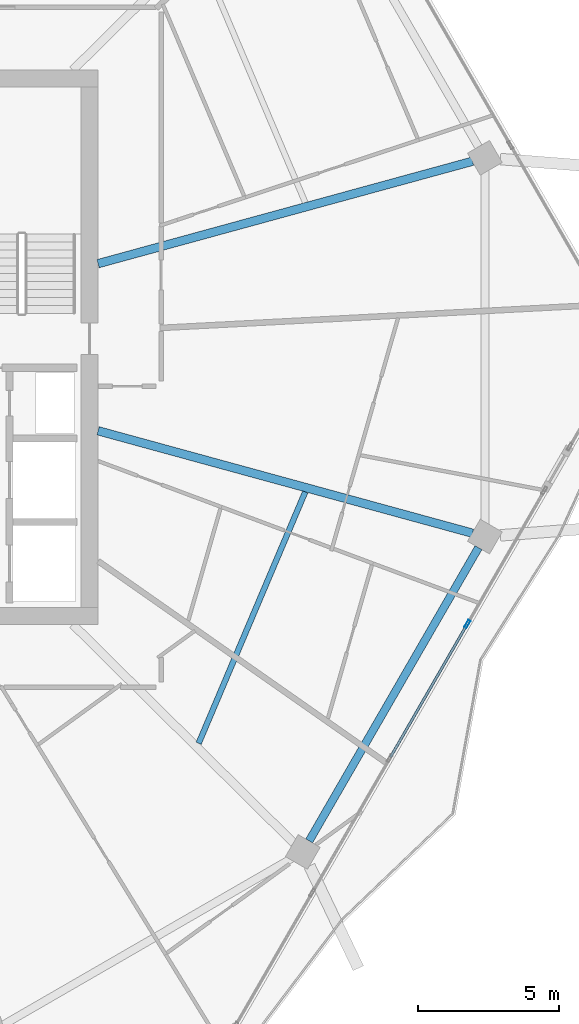
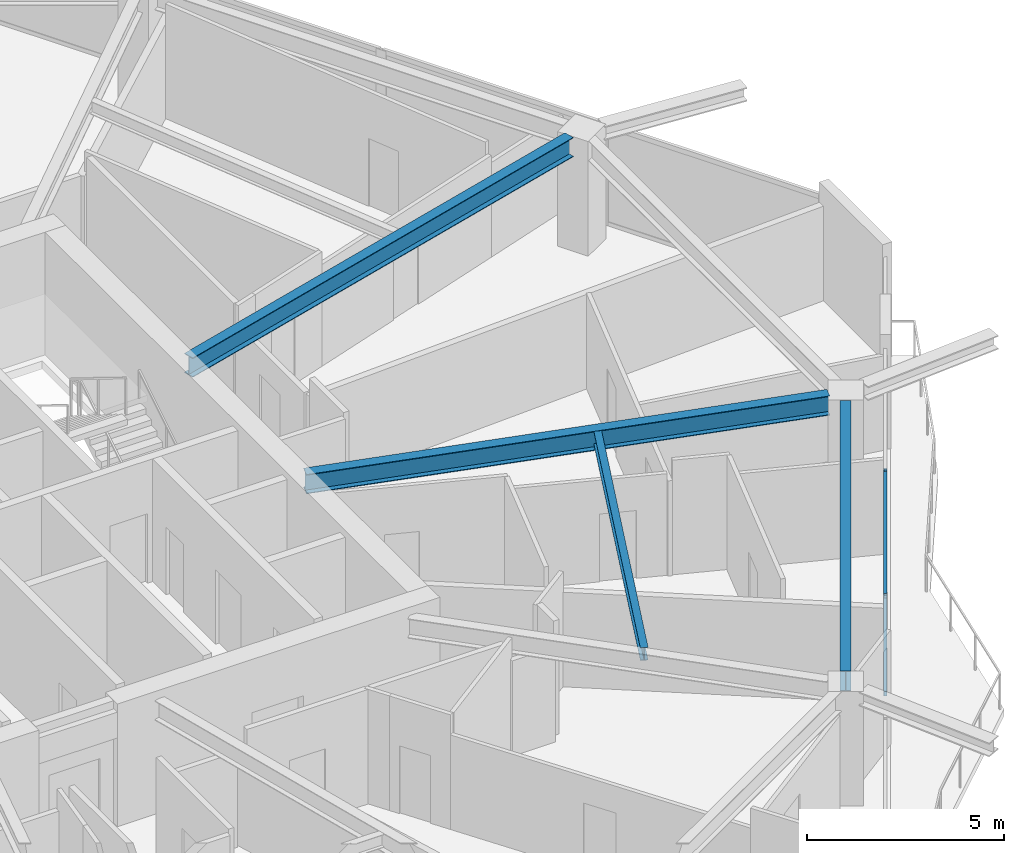
# One storey, part 9 of 25: 4 beams, 3 members, 1 element without a shape of its own.
"""IFC4 building model written with IfcOpenShell, lengths in metres."""

from ifc_helpers import new_model, si_unit, direction, frame, origin, origin_2d, place, context, subcontext, project, spatial, hollow_rectangle, i_section, extrude, material, material_profile, profile_set, type_object, element, aggregate, save


model = new_model("IFC4")

# Units and contexts
model_context = context("Model", 3, precision=1e-05, world=origin(), true_north=direction((0.0, 1.0)))
body_context = subcontext(model_context, "Body", "Model", "MODEL_VIEW")
ifc_project = project(units=[si_unit("LENGTHUNIT", "METRE"), si_unit("AREAUNIT", "SQUARE_METRE"), si_unit("VOLUMEUNIT", "CUBIC_METRE"), si_unit("PLANEANGLEUNIT", "RADIAN"), si_unit("MASSUNIT", "GRAM", prefix="KILO")], contexts=[model_context])

# Site, building, storey
site_placement = place(None, origin())
site = spatial("IfcSite", under=ifc_project, at=site_placement, CompositionType="ELEMENT")
building_placement = place(site_placement, origin())
building = spatial("IfcBuilding", under=site, at=building_placement, Name="Zuhravey Tower", CompositionType="ELEMENT")
storey_placement = place(building_placement, frame((0.0, 0.0, 257.800048828125)))
storey = spatial("IfcBuildingStorey", under=building, at=storey_placement, Name="L65", CompositionType="ELEMENT", Elevation=257.800048828125)

# Curtain wall, members
ifc_material_1 = material(Name="Thermally broken anodised aluminium", Category="aluminium")
curtain_wall_type = type_object("IfcCurtainWallType", Name="Zone 3-4 High-Rise Curtain Wall CW4", PredefinedType="NOTDEFINED", material=ifc_material_1)
curtain_wall_placement = place(storey_placement, origin())
curtain_wall = element("IfcCurtainWall", 1, at=curtain_wall_placement, inside=storey, type_object=curtain_wall_type, Name="L65 CW4 CW-L65-F6-2", PredefinedType="NOTDEFINED")
ifc_material_2 = material(Name="Anodised aluminium", Category="aluminium")
ifc_material_profile_1 = material_profile(ifc_material_2, hollow_rectangle(XDim=0.090087890625, YDim=0.284912109375, WallThickness=0.0048828125, at=origin_2d()), Name="ALU-RHS-90x285x5")
ifc_profile_set_1 = profile_set([ifc_material_profile_1], Name="Anodised aluminium")
member_type_1 = type_object("IfcMemberType", Name="Curtain-Wall Mullion 90x180", PredefinedType="MULLION", material=ifc_profile_set_1)
member_1_placement = place(storey_placement, frame((59.86669921875, 22.211181640625, 0.0), z_axis=(0.0, 0.0, 1.0), x_axis=(0.866025036881, -0.500000635495, 0.0)))
member_1 = element("IfcMember", 2, at=member_1_placement, type_object=member_type_1, Name="CW4 mullion 2", PredefinedType="MULLION", context=body_context, shape_type="SweptSolid", body=[
    extrude(hollow_rectangle(XDim=0.090087890625, YDim=0.284912109375, WallThickness=0.0048828125, at=origin_2d()), origin(), (0.0, 0.0, 1.0), 3.1220703125),
])
ifc_material_profile_2 = material_profile(ifc_material_2, hollow_rectangle(XDim=0.090087890625, YDim=0.14990234375, WallThickness=0.0048828125, at=origin_2d()), Name="ALU-RHS-90x150x5")
ifc_profile_set_2 = profile_set([ifc_material_profile_2], Name="Anodised aluminium")
member_type_2 = type_object("IfcMemberType", Name="Curtain-Wall Transom 90x150", PredefinedType="USERDEFINED", material=ifc_profile_set_2)
member_2_placement = place(storey_placement, frame((59.84423828125, 22.17236328125, 0.044921875), z_axis=(-0.499980770555, -0.866036505625, 0.0), x_axis=(0.866036505625, -0.499980770555, 0.0)))
member_2 = element("IfcMember", 3, at=member_2_placement, type_object=member_type_2, Name="CW4 transom 2.1", ObjectType="TRANSOM", PredefinedType="USERDEFINED", context=body_context, shape_type="SweptSolid", body=[
    extrude(hollow_rectangle(XDim=0.090087890625, YDim=0.14990234375, WallThickness=0.0048828125, at=origin_2d()), origin(), (0.0, 0.0, 1.0), 5.399658203125),
])
member_3_placement = place(storey_placement, frame((59.84423828125, 22.17236328125, 3.076904296875), z_axis=(-0.499980770555, -0.866036505625, 0.0), x_axis=(0.866036505625, -0.499980770555, 0.0)))
member_3 = element("IfcMember", 4, at=member_3_placement, type_object=member_type_2, Name="CW4 transom 2.2", ObjectType="TRANSOM", PredefinedType="USERDEFINED", context=body_context, shape_type="SweptSolid", body=[
    extrude(hollow_rectangle(XDim=0.090087890625, YDim=0.14990234375, WallThickness=0.0048828125, at=origin_2d()), origin(), (0.0, 0.0, 1.0), 5.399658203125),
])
aggregate(curtain_wall, [member_1, member_2, member_3])

# Beams
ifc_material_3 = material(Name="Steel SM355", Category="steel")
ifc_material_profile_3 = material_profile(ifc_material_3, i_section(OverallWidth=0.280029296875, OverallDepth=0.6201171875, WebThickness=0.011962890625, FlangeThickness=0.02001953125, at=origin_2d()), Name="H-620x280x12x20")
ifc_profile_set_3 = profile_set([ifc_material_profile_3], Name="Steel SM355")
beam_type_1 = type_object("IfcBeamType", Name="Perimeter Ring Beam H620x280", PredefinedType="BEAM", material=ifc_profile_set_3)
beam_1_placement = place(storey_placement, frame((54.27001953125, 14.53759765625, 3.239990234375), z_axis=(0.500017744717, 0.866015158625, 0.0), x_axis=(-0.866015158625, 0.500017744717, 0.0)))
element("IfcBeam", 5, at=beam_1_placement, inside=storey, type_object=beam_type_1, Name="L65 PB3 BM-L65-PB-11", PredefinedType="BEAM", context=body_context, shape_type="SweptSolid", body=[
    extrude(i_section(OverallWidth=0.280029296875, OverallDepth=0.6201171875, WebThickness=0.011962890625, FlangeThickness=0.02001953125, at=origin_2d()), origin(), (0.0, 0.0, 1.0), 11.9755859375),
])
ifc_material_profile_4 = material_profile(ifc_material_3, i_section(OverallWidth=0.300048828125, OverallDepth=0.60009765625, WebThickness=0.011962890625, FlangeThickness=0.02001953125, at=origin_2d()), Name="H-600x300x12x20")
ifc_profile_set_4 = profile_set([ifc_material_profile_4], Name="Steel SM355")
beam_type_2 = type_object("IfcBeamType", Name="Radial Primary Girder H600x300", PredefinedType="BEAM", material=ifc_profile_set_4)
for number, where, z_axis, x_axis, name in (
    (6, (46.802978515625, 34.95556640625, 3.25), (0.964548913045, 0.26390413855, 0.0), (-0.26390413855, 0.964548913045, 0.0), "L65 RG3 BM-L65-RAD-01"),
    (7, (46.802978515625, 29.04443359375, 3.25), (0.964548913045, -0.26390413855, 0.0), (0.26390413855, 0.964548913045, 0.0), "L65 RG3 BM-L65-RAD-12"),
):
    element("IfcBeam", number, at=place(storey_placement, frame(where, z_axis=z_axis, x_axis=x_axis)), inside=storey, type_object=beam_type_2, Name=name, PredefinedType="BEAM", context=body_context, shape_type="SweptSolid", body=[
        extrude(i_section(OverallWidth=0.300048828125, OverallDepth=0.60009765625, WebThickness=0.011962890625, FlangeThickness=0.02001953125, at=origin_2d()), origin(), (0.0, 0.0, 1.0), 13.7314453125),
    ])
ifc_material_profile_5 = material_profile(ifc_material_3, i_section(OverallWidth=0.199951171875, OverallDepth=0.39990234375, WebThickness=0.008056640625, FlangeThickness=0.012939453125, at=origin_2d()), Name="H-400x200x8x13")
ifc_profile_set_5 = profile_set([ifc_material_profile_5], Name="Steel SM355")
beam_type_3 = type_object("IfcBeamType", Name="Secondary Floor Joist H400x200", PredefinedType="JOIST", material=ifc_profile_set_5)
beam_2_placement = place(storey_placement, frame((50.36083984375, 17.990966796875, 3.349853515625), z_axis=(0.390413493754, 0.920639616731, 0.0), x_axis=(-0.920639616731, 0.390413493754, 0.0)))
element("IfcBeam", 8, at=beam_2_placement, inside=storey, type_object=beam_type_3, Name="L65 SJ2 BM-L65-SJ-11-1", PredefinedType="JOIST", context=body_context, shape_type="SweptSolid", body=[
    extrude(i_section(OverallWidth=0.199951171875, OverallDepth=0.39990234375, WebThickness=0.008056640625, FlangeThickness=0.012939453125, at=origin_2d()), origin(), (0.0, 0.0, 1.0), 9.656494140625),
])

save(model, "model.ifc")
